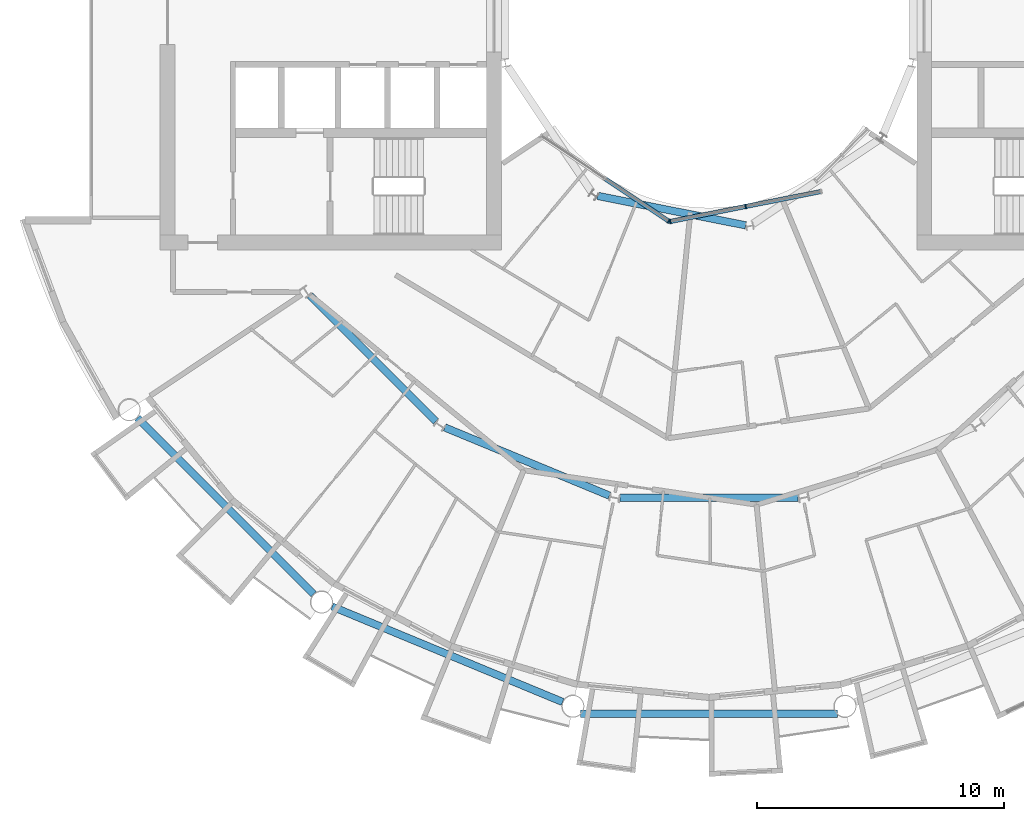
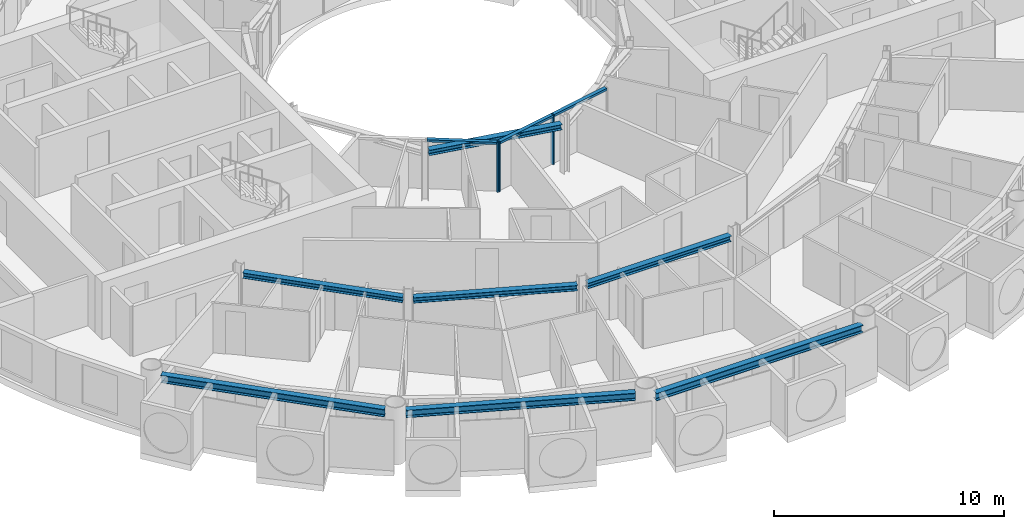
# One storey, part 5 of 27: 7 beams, 6 members, 2 elements without a shape of their own.
"""IFC4 building model written with IfcOpenShell, lengths in metres."""

from ifc_helpers import new_model, si_unit, direction, frame, origin, origin_2d, place, context, subcontext, project, spatial, rectangle, i_section, extrude, material, layer, layer_set, material_profile, profile_set, type_object, element, aggregate, save


model = new_model("IFC4")

# Units and contexts
model_context = context("Model", 3, precision=1e-05, world=origin(), true_north=direction((0.0, 1.0)))
body_context = subcontext(model_context, "Body", "Model", "MODEL_VIEW")
ifc_project = project(units=[si_unit("LENGTHUNIT", "METRE"), si_unit("AREAUNIT", "SQUARE_METRE"), si_unit("VOLUMEUNIT", "CUBIC_METRE"), si_unit("PLANEANGLEUNIT", "RADIAN"), si_unit("MASSUNIT", "GRAM", prefix="KILO")], contexts=[model_context])

# Site, building, storey
site_placement = place(None, origin())
site = spatial("IfcSite", under=ifc_project, at=site_placement, CompositionType="ELEMENT")
building_placement = place(site_placement, origin())
building = spatial("IfcBuilding", under=site, at=building_placement, Name="Maasbend Ring Residences", CompositionType="ELEMENT")
storey_placement = place(building_placement, frame((0.0, 0.0, 136.050048828125)))
storey = spatial("IfcBuildingStorey", under=building, at=storey_placement, Name="L39", CompositionType="ELEMENT", Elevation=136.050048828125)

# Curtain wall, member
ifc_material_1 = material(Name="Aluminium and clear glass", Category="aluminium")
ifc_layer = layer(ifc_material_1, 0.179931640625)
ifc_layer_set = layer_set([ifc_layer], Name="CW-W")
curtain_wall_type = type_object("IfcCurtainWallType", Name="CW-W", PredefinedType="NOTDEFINED", material=ifc_layer_set)
curtain_wall_1_placement = place(storey_placement, origin())
curtain_wall_1 = element("IfcCurtainWall", 1, at=curtain_wall_1_placement, inside=storey, type_object=curtain_wall_type, Name="Well curtain wall S1", PredefinedType="NOTDEFINED")
ifc_material_2 = material(Name="Aluminium 6063-T6", Category="aluminium")
ifc_material_profile_1 = material_profile(ifc_material_2, rectangle(XDim=0.179931640625, YDim=0.06005859375, at=origin_2d()), Name="AL 180x60")
ifc_profile_set_1 = profile_set([ifc_material_profile_1], Name="Aluminium 6063-T6")
member_type_1 = type_object("IfcMemberType", Name="CWM-W", PredefinedType="MULLION", material=ifc_profile_set_1)
member_1_placement = place(storey_placement, frame((-1.627685546875, -8.040771484375, 0.0), z_axis=(0.0, 0.0, 1.0), x_axis=(0.55557023302, 0.831469612303, 0.0)))
member_1 = element("IfcMember", 2, at=member_1_placement, type_object=member_type_1, Name="Mullion well face", PredefinedType="MULLION", context=body_context, shape_type="SweptSolid", body=[
    extrude(rectangle(XDim=0.179931640625, YDim=0.06005859375, at=origin_2d()), origin(), (0.0, 0.0, 1.0), 2.64990234375),
])

# Curtain wall, members
curtain_wall_2_placement = place(storey_placement, origin())
curtain_wall_2 = element("IfcCurtainWall", 3, at=curtain_wall_2_placement, inside=storey, type_object=curtain_wall_type, Name="Well curtain wall S2", PredefinedType="NOTDEFINED")
member_2_placement = place(storey_placement, frame((-1.5732421875, -8.0517578125, 0.0), z_axis=(0.0, 0.0, 1.0), x_axis=(-0.195090322016, 0.980785280403, 0.0)))
member_2 = element("IfcMember", 4, at=member_2_placement, type_object=member_type_1, Name="Mullion well face", PredefinedType="MULLION", context=body_context, shape_type="SweptSolid", body=[
    extrude(rectangle(XDim=0.179931640625, YDim=0.06005859375, at=origin_2d()), origin(), (0.0, 0.0, 1.0), 2.64990234375),
])
member_3_placement = place(storey_placement, frame((1.480712890625, -7.444091796875, 0.0), z_axis=(0.0, 0.0, 1.0), x_axis=(-0.195090322016, 0.980785280403, 0.0)))
member_3 = element("IfcMember", 5, at=member_3_placement, type_object=member_type_1, Name="Mullion well face", PredefinedType="MULLION", context=body_context, shape_type="SweptSolid", body=[
    extrude(rectangle(XDim=0.179931640625, YDim=0.06005859375, at=origin_2d()), origin(), (0.0, 0.0, 1.0), 2.64990234375),
])

# Member
ifc_material_3 = material(Name="Aluminium 6063-T6", Category="aluminium")
ifc_material_profile_2 = material_profile(ifc_material_3, rectangle(XDim=0.179931640625, YDim=0.1201171875, at=origin_2d()), Name="AL 180x120")
ifc_profile_set_2 = profile_set([ifc_material_profile_2], Name="Aluminium 6063-T6")
member_type_2 = type_object("IfcMemberType", Name="CWT-W", PredefinedType="USERDEFINED", material=ifc_profile_set_2)
member_4_placement = place(storey_placement, frame((-4.19189453125, -6.32763671875, 2.58984375), z_axis=(0.831496422459, -0.555530106689, 0.0), x_axis=(0.555530106689, 0.831496422459, 0.0)))
member_4 = element("IfcMember", 6, at=member_4_placement, type_object=member_type_2, Name="Transom well face", ObjectType="TRANSOM", PredefinedType="USERDEFINED", context=body_context, shape_type="SweptSolid", body=[
    extrude(rectangle(XDim=0.179931640625, YDim=0.1201171875, at=origin_2d()), origin(), (0.0, 0.0, 1.0), 3.053955078125),
])

aggregate(curtain_wall_1, [member_1, member_4])

member_5_placement = place(storey_placement, frame((-1.5439453125, -8.0458984375, 2.58984375), z_axis=(0.980776956105, 0.195132166424, 0.0), x_axis=(-0.195132166424, 0.980776956105, 0.0)))
member_5 = element("IfcMember", 7, at=member_5_placement, type_object=member_type_2, Name="Transom well face", ObjectType="TRANSOM", PredefinedType="USERDEFINED", context=body_context, shape_type="SweptSolid", body=[
    extrude(rectangle(XDim=0.179931640625, YDim=0.1201171875, at=origin_2d()), origin(), (0.0, 0.0, 1.0), 3.053955078125),
])

member_6_placement = place(storey_placement, frame((1.51025390625, -7.438232421875, 2.58984375), z_axis=(0.980789210404, 0.19507056353, 0.0), x_axis=(-0.19507056353, 0.980789210404, 0.0)))
member_6 = element("IfcMember", 8, at=member_6_placement, type_object=member_type_2, Name="Transom well face", ObjectType="TRANSOM", PredefinedType="USERDEFINED", context=body_context, shape_type="SweptSolid", body=[
    extrude(rectangle(XDim=0.179931640625, YDim=0.1201171875, at=origin_2d()), origin(), (0.0, 0.0, 1.0), 3.0537109375),
])

aggregate(curtain_wall_2, [member_2, member_3, member_5, member_6])

# Beams
ifc_material_4 = material(Name="Steel S355J2", Category="steel")
ifc_material_profile_3 = material_profile(ifc_material_4, i_section(OverallWidth=0.300048828125, OverallDepth=0.2900390625, WebThickness=0.008544921875, FlangeThickness=0.013916015625, FilletRadius=0.027099609375, at=origin_2d()), Name="HEA 300")
ifc_profile_set_3 = profile_set([ifc_material_profile_3], Name="Steel S355J2")
beam_type_1 = type_object("IfcBeamType", Name="Corridor ring beam HEA 300", PredefinedType="BEAM", material=ifc_profile_set_3)
for number, where, z_axis, x_axis, name in (
    (9, (-16.14111328125, -11.044921875, 2.5048828125), (0.707106781187, -0.707106781187, 0.0), (0.707106781187, 0.707106781187, 0.0), "Corridor ring beam"),
    (10, (-10.685791015625, -16.381103515625, 2.5048828125), (0.923877693919, -0.382687871089, 0.0), (0.382687871089, 0.923877693919, 0.0), "Corridor ring beam"),
    (11, (-3.603515625, -19.223388671875, 2.5048828125), (1.0, 0.0, 0.0), (0.0, 1.0, 0.0), "Corridor ring beam"),
):
    element("IfcBeam", number, at=place(storey_placement, frame(where, z_axis=z_axis, x_axis=x_axis)), inside=storey, type_object=beam_type_1, Name=name, PredefinedType="BEAM", context=body_context, shape_type="SweptSolid", body=[
        extrude(i_section(OverallWidth=0.300048828125, OverallDepth=0.2900390625, WebThickness=0.008544921875, FlangeThickness=0.013916015625, FilletRadius=0.027099609375, at=origin_2d()), origin(), (0.0, 0.0, 1.0), 7.20703125),
    ])
ifc_material_5 = material(Name="Steel S355J2", Category="steel")
ifc_material_profile_4 = material_profile(ifc_material_5, i_section(OverallWidth=0.300048828125, OverallDepth=0.39990234375, WebThickness=0.013427734375, FlangeThickness=0.02392578125, FilletRadius=0.027099609375, at=origin_2d()), Name="HEB 400")
ifc_profile_set_4 = profile_set([ifc_material_profile_4], Name="Steel S355J2")
beam_type_2 = type_object("IfcBeamType", Name="Spandrel ring beam HEB 400", PredefinedType="SPANDREL", material=ifc_profile_set_4)
for number, where, z_axis, x_axis, name in (
    (12, (-23.124267578125, -15.990234375, 2.449951171875), (0.707106781187, -0.707106781187, 0.0), (0.707106781187, 0.707106781187, 0.0), "Spandrel ring beam"),
    (13, (-15.244873046875, -23.622314453125, 2.449951171875), (0.92388529709, -0.382669515144, 0.0), (0.382669515144, 0.92388529709, 0.0), "Spandrel ring beam"),
):
    element("IfcBeam", number, at=place(storey_placement, frame(where, z_axis=z_axis, x_axis=x_axis)), inside=storey, type_object=beam_type_2, Name=name, PredefinedType="SPANDREL", context=body_context, shape_type="SweptSolid", body=[
        extrude(i_section(OverallWidth=0.300048828125, OverallDepth=0.39990234375, WebThickness=0.013427734375, FlangeThickness=0.02392578125, FilletRadius=0.027099609375, at=origin_2d()), origin(), (0.0, 0.0, 1.0), 10.089111328125),
    ])
beam_1_placement = place(storey_placement, frame((-5.194580078125, -27.9580078125, 2.449951171875), z_axis=(1.0, 0.0, 0.0), x_axis=(0.0, 1.0, 0.0)))
element("IfcBeam", 14, at=beam_1_placement, inside=storey, type_object=beam_type_2, Name="Spandrel ring beam", PredefinedType="SPANDREL", context=body_context, shape_type="SweptSolid", body=[
    extrude(i_section(OverallWidth=0.300048828125, OverallDepth=0.39990234375, WebThickness=0.013427734375, FlangeThickness=0.02392578125, FilletRadius=0.027099609375, at=origin_2d()), origin(), (0.0, 0.0, 1.0), 10.38916015625),
])
ifc_material_6 = material(Name="Steel S355J2", Category="steel")
ifc_material_profile_5 = material_profile(ifc_material_6, i_section(OverallWidth=0.300048828125, OverallDepth=0.2900390625, WebThickness=0.008544921875, FlangeThickness=0.013916015625, FilletRadius=0.027099609375, at=origin_2d()), Name="HEA 300")
ifc_profile_set_5 = profile_set([ifc_material_profile_5], Name="Steel S355J2")
beam_type_3 = type_object("IfcBeamType", Name="Well edge beam HEA 300", PredefinedType="BEAM", material=ifc_profile_set_5)
beam_2_placement = place(storey_placement, frame((-4.507568359375, -7.01611328125, 2.5048828125), z_axis=(0.980792381321, -0.195054619896, 0.0), x_axis=(0.195054619896, 0.980792381321, 0.0)))
element("IfcBeam", 15, at=beam_2_placement, inside=storey, type_object=beam_type_3, Name="Well edge beam", PredefinedType="BEAM", context=body_context, shape_type="SweptSolid", body=[
    extrude(i_section(OverallWidth=0.300048828125, OverallDepth=0.2900390625, WebThickness=0.008544921875, FlangeThickness=0.013916015625, FilletRadius=0.027099609375, at=origin_2d()), origin(), (0.0, 0.0, 1.0), 6.104248046875),
])

save(model, "model.ifc")
